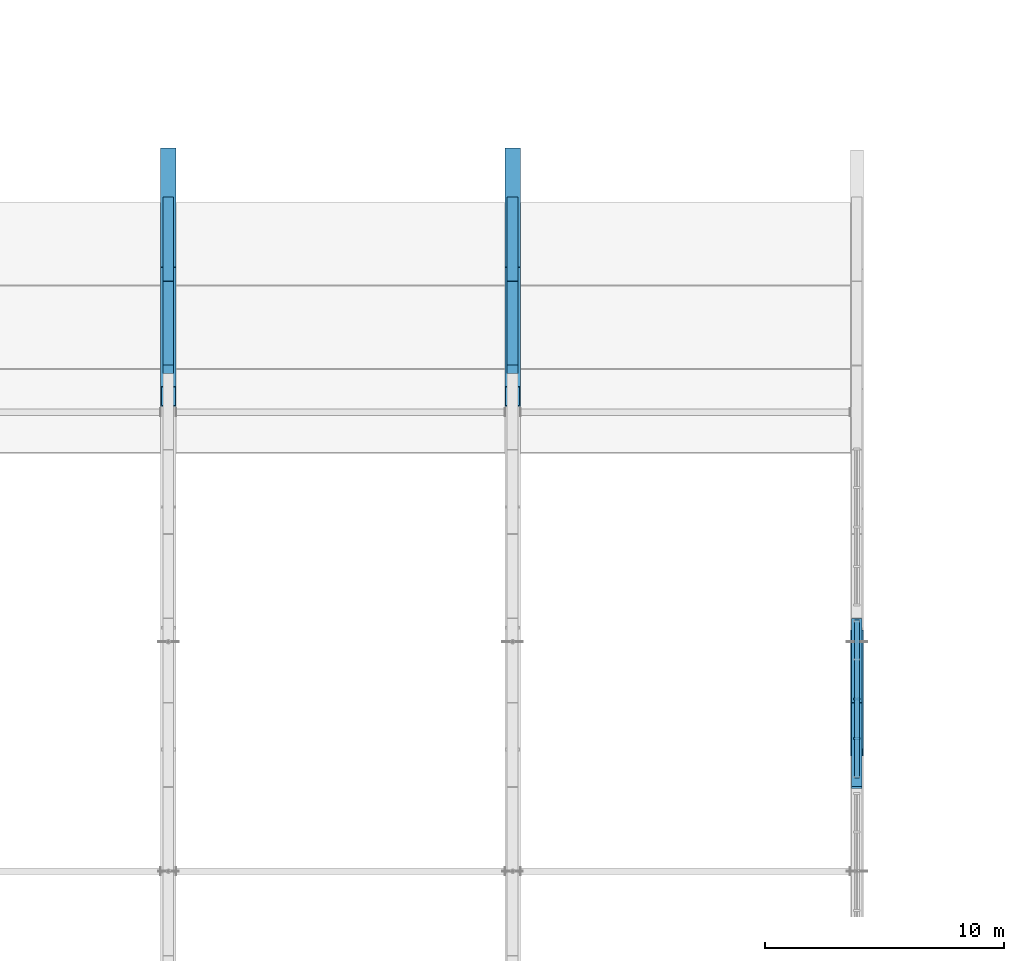
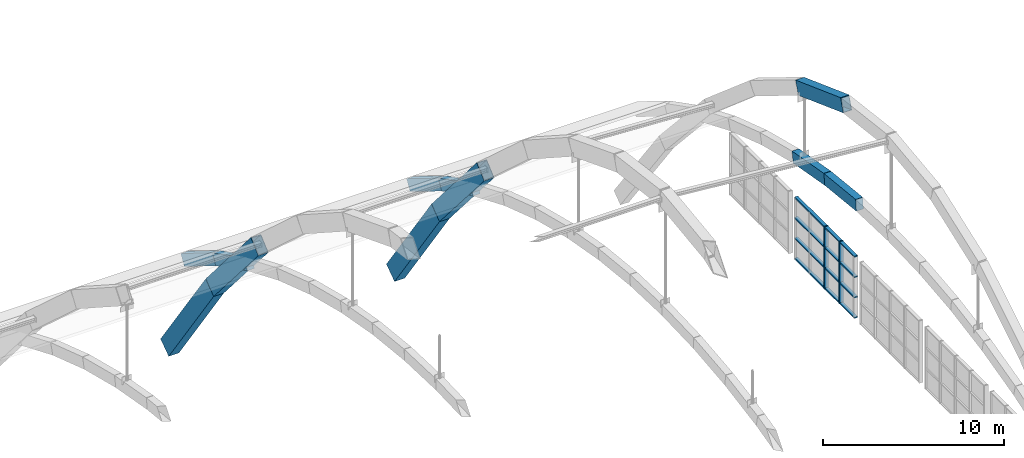
# One storey, part 28 of 64: 11 members, 6 beams, 1 element without a shape of its own.
"""IFC4 building model written with IfcOpenShell, lengths in metres."""

from ifc_helpers import new_model, si_unit, direction, frame, origin, origin_2d, place, context, subcontext, project, spatial, rectangle, hollow_rectangle, extrude, material, material_profile, profile_set, type_object, element, aggregate, save


model = new_model("IFC4")

# Units and contexts
model_context = context("Model", 3, precision=1e-05, world=origin(), true_north=direction((0.0, 1.0)))
body_context = subcontext(model_context, "Body", "Model", "MODEL_VIEW")
ifc_project = project(units=[si_unit("LENGTHUNIT", "METRE"), si_unit("AREAUNIT", "SQUARE_METRE"), si_unit("VOLUMEUNIT", "CUBIC_METRE"), si_unit("PLANEANGLEUNIT", "RADIAN"), si_unit("MASSUNIT", "GRAM", prefix="KILO")], contexts=[model_context])

# Site, building, storey
site_placement = place(None, origin())
site = spatial("IfcSite", under=ifc_project, at=site_placement, CompositionType="ELEMENT")
building_placement = place(site_placement, origin())
building = spatial("IfcBuilding", under=site, at=building_placement, Name="Leyfeld Transit Interchange", CompositionType="ELEMENT")
storey_placement = place(building_placement, frame((0.0, 0.0, 9.60009765625)))
storey = spatial("IfcBuildingStorey", under=building, at=storey_placement, Name="L02", CompositionType="ELEMENT", Elevation=9.60009765625)

# Beams
ifc_material_1 = material(Name="Concrete C40/50", Category="concrete")
ifc_material_profile_1 = material_profile(ifc_material_1, rectangle(XDim=0.449951171875, YDim=0.75, at=origin_2d()), Name="RC 750x450 RIB")
ifc_profile_set_1 = profile_set([ifc_material_profile_1], Name="Concrete C40/50")
beam_type = type_object("IfcBeamType", Name="BM-RIB-750x450", PredefinedType="USERDEFINED", material=ifc_profile_set_1)
beam_1_placement = place(storey_placement, frame((72.0, 53.39990234375, 2.81640625), z_axis=(0.0, 0.890316086289, -0.455343020694), x_axis=(-1.0, 0.0, 0.0)))
element("IfcBeam", 1, at=beam_1_placement, inside=storey, type_object=beam_type, Name="Concourse Vault Rib A6 Seg 15", ObjectType="ARCH_RIB", PredefinedType="USERDEFINED", context=body_context, shape_type="SweptSolid", body=[
    extrude(rectangle(XDim=0.449951171875, YDim=0.75, at=origin_2d()), origin(), (0.0, 0.0, 1.0), 3.93115234375),
])
beam_2_placement = place(storey_placement, frame((72.0, 56.89990234375, 1.0263671875), z_axis=(0.0, 0.850840137882, -0.525424647089), x_axis=(-1.0, 0.0, 0.0)))
element("IfcBeam", 2, at=beam_2_placement, inside=storey, type_object=beam_type, Name="Concourse Vault Rib A6 Seg 16", ObjectType="ARCH_RIB", PredefinedType="USERDEFINED", context=body_context, shape_type="SweptSolid", body=[
    extrude(rectangle(XDim=0.449951171875, YDim=0.75, at=origin_2d()), origin(), (0.0, 0.0, 1.0), 4.113525390625),
])
beam_3_placement = place(storey_placement, frame((86.39990234375, 53.39990234375, 2.81640625), z_axis=(0.0, 0.890316086289, -0.455343020694), x_axis=(-1.0, 0.0, 0.0)))
element("IfcBeam", 3, at=beam_3_placement, inside=storey, type_object=beam_type, Name="Concourse Vault Rib A7 Seg 15", ObjectType="ARCH_RIB", PredefinedType="USERDEFINED", context=body_context, shape_type="SweptSolid", body=[
    extrude(rectangle(XDim=0.449951171875, YDim=0.75, at=origin_2d()), origin(), (0.0, 0.0, 1.0), 3.93115234375),
])
beam_4_placement = place(storey_placement, frame((86.39990234375, 56.89990234375, 1.0263671875), z_axis=(0.0, 0.850840137882, -0.525424647089), x_axis=(-1.0, 0.0, 0.0)))
element("IfcBeam", 4, at=beam_4_placement, inside=storey, type_object=beam_type, Name="Concourse Vault Rib A7 Seg 16", ObjectType="ARCH_RIB", PredefinedType="USERDEFINED", context=body_context, shape_type="SweptSolid", body=[
    extrude(rectangle(XDim=0.449951171875, YDim=0.75, at=origin_2d()), origin(), (0.0, 0.0, 1.0), 4.113525390625),
])
beam_5_placement = place(storey_placement, frame((100.800048828125, 35.89990234375, 7.317626953125), z_axis=(0.0, 0.99446241795, -0.105092812723), x_axis=(-1.0, 0.0, 0.0)))
element("IfcBeam", 5, at=beam_5_placement, inside=storey, type_object=beam_type, Name="Concourse Vault Rib A8 Seg 10", ObjectType="ARCH_RIB", PredefinedType="USERDEFINED", context=body_context, shape_type="SweptSolid", body=[
    extrude(rectangle(XDim=0.449951171875, YDim=0.75, at=origin_2d()), origin(), (0.0, 0.0, 1.0), 3.51953125),
])
beam_6_placement = place(storey_placement, frame((100.800048828125, 39.39990234375, 6.94775390625), z_axis=(0.0, 0.984546197367, -0.175125056033), x_axis=(-1.0, 0.0, 0.0)))
element("IfcBeam", 6, at=beam_6_placement, inside=storey, type_object=beam_type, Name="Concourse Vault Rib A8 Seg 11", ObjectType="ARCH_RIB", PredefinedType="USERDEFINED", context=body_context, shape_type="SweptSolid", body=[
    extrude(rectangle(XDim=0.449951171875, YDim=0.75, at=origin_2d()), origin(), (0.0, 0.0, 1.0), 3.554931640625),
])

# Curtain wall, members
ifc_material_2 = material(Name="Anodised aluminium EN AW-6060 T66", Category="aluminium")
curtain_wall_type = type_object("IfcCurtainWallType", Name="CW-SYS-GAB-7200", PredefinedType="NOTDEFINED", material=ifc_material_2)
curtain_wall_placement = place(storey_placement, origin())
curtain_wall = element("IfcCurtainWall", 7, at=curtain_wall_placement, inside=storey, type_object=curtain_wall_type, Name="Curtain Wall CW-L02-GABE-04", PredefinedType="NOTDEFINED")
ifc_material_profile_2 = material_profile(ifc_material_2, rectangle(XDim=0.0849609375, YDim=0.260009765625, at=origin_2d()), Name="CW-M 85x260")
ifc_profile_set_2 = profile_set([ifc_material_profile_2], Name="Anodised aluminium EN AW-6060 T66")
member_type_1 = type_object("IfcMemberType", Name="CW-MUL-220x80", PredefinedType="MULLION", material=ifc_profile_set_2)
member_1_placement = place(storey_placement, frame((100.800048828125, 37.949951171875, -0.60009765625), z_axis=(0.0, 0.0, 1.0), x_axis=(0.0, 1.0, 0.0)))
member_1 = element("IfcMember", 8, at=member_1_placement, type_object=member_type_1, Name="Curtain Mullion CW-L02-GABE-04-M02", PredefinedType="MULLION", context=body_context, shape_type="SweptSolid", body=[
    extrude(rectangle(XDim=0.0849609375, YDim=0.260009765625, at=origin_2d()), origin(), (0.0, 0.0, 1.0), 4.199951171875),
])
member_2_placement = place(storey_placement, frame((100.800048828125, 39.60009765625, -0.60009765625), z_axis=(0.0, 0.0, 1.0), x_axis=(0.0, 1.0, 0.0)))
member_2 = element("IfcMember", 9, at=member_2_placement, type_object=member_type_1, Name="Curtain Mullion CW-L02-GABE-04-M03", PredefinedType="MULLION", context=body_context, shape_type="SweptSolid", body=[
    extrude(rectangle(XDim=0.0849609375, YDim=0.260009765625, at=origin_2d()), origin(), (0.0, 0.0, 1.0), 4.199951171875),
])
ifc_material_profile_3 = material_profile(ifc_material_2, rectangle(XDim=0.2099609375, YDim=0.0849609375, at=origin_2d()), Name="CW-TRN-200x80")
ifc_profile_set_3 = profile_set([ifc_material_profile_3], Name="Anodised aluminium EN AW-6060 T66")
member_type_2 = type_object("IfcMemberType", Name="CW-TRN-200x80", PredefinedType="USERDEFINED", material=ifc_profile_set_3)
member_3_placement = place(storey_placement, frame((100.800048828125, 36.300048828125, -0.5576171875), z_axis=(0.0, 1.0, 0.0), x_axis=(-1.0, 0.0, 0.0)))
member_3 = element("IfcMember", 10, at=member_3_placement, type_object=member_type_2, Name="Curtain Transom CW-L02-GABE-04-T01", ObjectType="TRANSOM", PredefinedType="USERDEFINED", context=body_context, shape_type="SweptSolid", body=[
    extrude(rectangle(XDim=0.2099609375, YDim=0.0849609375, at=origin_2d()), origin(), (0.0, 0.0, 1.0), 6.599853515625),
])
member_4_placement = place(storey_placement, frame((100.800048828125, 36.300048828125, 0.814208984375), z_axis=(0.0, 1.0, 0.0), x_axis=(-1.0, 0.0, 0.0)))
member_4 = element("IfcMember", 11, at=member_4_placement, type_object=member_type_2, Name="Curtain Transom CW-L02-GABE-04-T02", ObjectType="TRANSOM", PredefinedType="USERDEFINED", context=body_context, shape_type="SweptSolid", body=[
    extrude(rectangle(XDim=0.2099609375, YDim=0.0849609375, at=origin_2d()), origin(), (0.0, 0.0, 1.0), 6.599853515625),
])
member_5_placement = place(storey_placement, frame((100.800048828125, 36.300048828125, 2.185791015625), z_axis=(0.0, 1.0, 0.0), x_axis=(-1.0, 0.0, 0.0)))
member_5 = element("IfcMember", 12, at=member_5_placement, type_object=member_type_2, Name="Curtain Transom CW-L02-GABE-04-T03", ObjectType="TRANSOM", PredefinedType="USERDEFINED", context=body_context, shape_type="SweptSolid", body=[
    extrude(rectangle(XDim=0.2099609375, YDim=0.0849609375, at=origin_2d()), origin(), (0.0, 0.0, 1.0), 6.599853515625),
])
member_6_placement = place(storey_placement, frame((100.800048828125, 36.300048828125, 3.557373046875), z_axis=(0.0, 1.0, 0.0), x_axis=(-1.0, 0.0, 0.0)))
member_6 = element("IfcMember", 13, at=member_6_placement, type_object=member_type_2, Name="Curtain Transom CW-L02-GABE-04-T04", ObjectType="TRANSOM", PredefinedType="USERDEFINED", context=body_context, shape_type="SweptSolid", body=[
    extrude(rectangle(XDim=0.2099609375, YDim=0.0849609375, at=origin_2d()), origin(), (0.0, 0.0, 1.0), 6.599853515625),
])
aggregate(curtain_wall, [member_1, member_2, member_3, member_4, member_5, member_6])

# Members
ifc_material_3 = material(Name="Steel S355J2 - Ochre Arch", Category="steel")
ifc_material_profile_4 = material_profile(ifc_material_3, hollow_rectangle(XDim=0.64990234375, YDim=1.10009765625, WallThickness=0.035888671875, at=origin_2d()), Name="RHS 1100x650x36")
ifc_profile_set_4 = profile_set([ifc_material_profile_4], Name="Steel S355J2 - Ochre Arch")
member_type_3 = type_object("IfcMemberType", Name="MEM-ARCH-1100", PredefinedType="USERDEFINED", material=ifc_profile_set_4)
member_7_placement = place(storey_placement, frame((72.0, 52.2666015625, 4.733154296875), z_axis=(0.0, 0.652068011337, -0.758160476807), x_axis=(-1.0, 0.0, 0.0)))
element("IfcMember", 14, at=member_7_placement, inside=storey, type_object=member_type_3, Name="Primary Steel Arch AR-05 Seg 11", ObjectType="ARCH_SEGMENT", PredefinedType="USERDEFINED", context=body_context, shape_type="SweptSolid", body=[
    extrude(hollow_rectangle(XDim=0.64990234375, YDim=1.10009765625, WallThickness=0.035888671875, at=origin_2d()), origin(), (0.0, 0.0, 1.0), 7.616943359375),
])
member_8_placement = place(storey_placement, frame((72.0, 57.2333984375, -1.041748046875), z_axis=(0.0, 0.575459771691, -0.817830086977), x_axis=(-1.0, 0.0, 0.0)))
element("IfcMember", 15, at=member_8_placement, inside=storey, type_object=member_type_3, Name="Primary Steel Arch AR-05 Seg 12", ObjectType="ARCH_SEGMENT", PredefinedType="USERDEFINED", context=body_context, shape_type="SweptSolid", body=[
    extrude(hollow_rectangle(XDim=0.64990234375, YDim=1.10009765625, WallThickness=0.035888671875, at=origin_2d()), origin(), (0.0, 0.0, 1.0), 8.630615234375),
])
member_9_placement = place(storey_placement, frame((86.39990234375, 52.2666015625, 4.733154296875), z_axis=(0.0, 0.652068011337, -0.758160476807), x_axis=(-1.0, 0.0, 0.0)))
element("IfcMember", 16, at=member_9_placement, inside=storey, type_object=member_type_3, Name="Primary Steel Arch AR-06 Seg 11", ObjectType="ARCH_SEGMENT", PredefinedType="USERDEFINED", context=body_context, shape_type="SweptSolid", body=[
    extrude(hollow_rectangle(XDim=0.64990234375, YDim=1.10009765625, WallThickness=0.035888671875, at=origin_2d()), origin(), (0.0, 0.0, 1.0), 7.616943359375),
])
member_10_placement = place(storey_placement, frame((86.39990234375, 57.2333984375, -1.041748046875), z_axis=(0.0, 0.575459771691, -0.817830086977), x_axis=(-1.0, 0.0, 0.0)))
element("IfcMember", 17, at=member_10_placement, inside=storey, type_object=member_type_3, Name="Primary Steel Arch AR-06 Seg 12", ObjectType="ARCH_SEGMENT", PredefinedType="USERDEFINED", context=body_context, shape_type="SweptSolid", body=[
    extrude(hollow_rectangle(XDim=0.64990234375, YDim=1.10009765625, WallThickness=0.035888671875, at=origin_2d()), origin(), (0.0, 0.0, 1.0), 8.630615234375),
])
ifc_material_profile_5 = material_profile(ifc_material_3, hollow_rectangle(XDim=0.550048828125, YDim=0.89990234375, WallThickness=0.031982421875, at=origin_2d()), Name="RHS 900x550x32")
ifc_profile_set_5 = profile_set([ifc_material_profile_5], Name="Steel S355J2 - Ochre Arch")
member_type_4 = type_object("IfcMemberType", Name="MEM-ARCH-900", PredefinedType="USERDEFINED", material=ifc_profile_set_5)
member_11_placement = place(storey_placement, frame((100.800048828125, 37.36669921875, 13.191650390625), z_axis=(0.0, 0.938638972775, -0.344901259475), x_axis=(-1.0, 0.0, 0.0)))
element("IfcMember", 18, at=member_11_placement, inside=storey, type_object=member_type_4, Name="Primary Steel Arch GP-E Seg 8", ObjectType="ARCH_SEGMENT", PredefinedType="USERDEFINED", context=body_context, shape_type="SweptSolid", body=[
    extrude(hollow_rectangle(XDim=0.550048828125, YDim=0.89990234375, WallThickness=0.031982421875, at=origin_2d()), origin(), (0.0, 0.0, 1.0), 5.291259765625),
])

save(model, "model.ifc")
